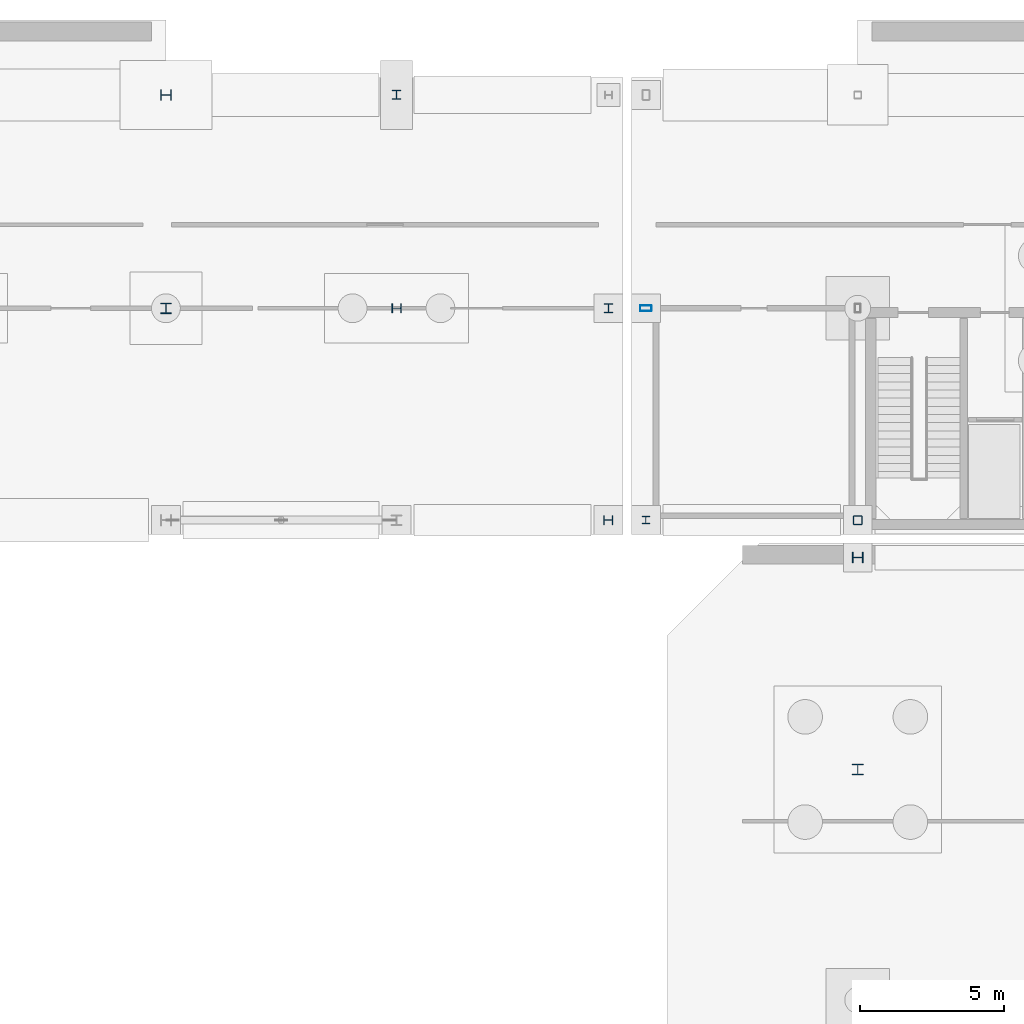
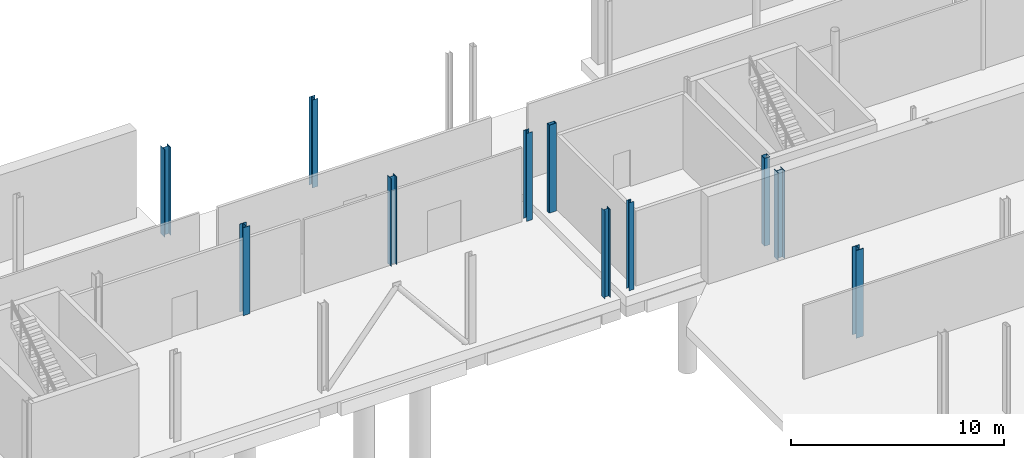
# One storey, part 14 of 33: 11 columns.
"""IFC4 building model written with IfcOpenShell, lengths in metres."""

from ifc_helpers import new_model, si_unit, direction, frame, origin, origin_2d, place, context, subcontext, project, spatial, hollow_rectangle, i_section, extrude, material, material_profile, profile_set, type_object, element, save


model = new_model("IFC4")

# Units and contexts
model_context = context("Model", 3, precision=1e-05, world=origin(), true_north=direction((0.0, 1.0)))
body_context = subcontext(model_context, "Body", "Model", "MODEL_VIEW")
ifc_project = project(units=[si_unit("LENGTHUNIT", "METRE"), si_unit("AREAUNIT", "SQUARE_METRE"), si_unit("VOLUMEUNIT", "CUBIC_METRE"), si_unit("PLANEANGLEUNIT", "RADIAN"), si_unit("MASSUNIT", "GRAM", prefix="KILO")], contexts=[model_context])

# Site, building, storey
site_placement = place(None, origin())
site = spatial("IfcSite", under=ifc_project, at=site_placement, CompositionType="ELEMENT")
building_placement = place(site_placement, origin())
building = spatial("IfcBuilding", under=site, at=building_placement, Name="Brisemont Oceanarium", CompositionType="ELEMENT")
storey_placement = place(building_placement, frame((0.0, 0.0, -5.39990234375)))
storey = spatial("IfcBuildingStorey", under=building, at=storey_placement, Name="B01", CompositionType="ELEMENT", Elevation=-5.39990234375)

# Columns
ifc_material_1 = material(Name="Structural Steel ASTM A500 Gr.C", Category="steel")
ifc_material_profile_1 = material_profile(ifc_material_1, hollow_rectangle(XDim=0.304931640625, YDim=0.304931640625, WallThickness=0.01171875, InnerFilletRadius=0.01220703125, OuterFilletRadius=0.02392578125, at=origin_2d()), Name="HSS12X12X1/2")
ifc_profile_set_1 = profile_set([ifc_material_profile_1], Name="Structural Steel ASTM A500 Gr.C")
column_type_1 = type_object("IfcColumnType", Name="COL-HSS12X12", PredefinedType="COLUMN", material=ifc_profile_set_1)
column_1_placement = place(storey_placement, frame((64.0, 80.64990234375, 0.0), z_axis=(0.0, 0.0, 1.0), x_axis=(0.0, 1.0, 0.0)))
element("IfcColumn", 1, at=column_1_placement, inside=storey, type_object=column_type_1, Name="V7E B01 column (1,0)", PredefinedType="COLUMN", context=body_context, shape_type="SweptSolid", body=[
    extrude(hollow_rectangle(XDim=0.304931640625, YDim=0.304931640625, WallThickness=0.01171875, InnerFilletRadius=0.01220703125, OuterFilletRadius=0.02392578125, at=origin_2d()), origin(), (0.0, 0.0, 1.0), 5.039794921875),
])
ifc_material_2 = material(Name="Structural Steel ASTM A500 Gr.C", Category="steel")
ifc_material_profile_2 = material_profile(ifc_material_2, hollow_rectangle(XDim=0.202880859375, YDim=0.406005859375, WallThickness=0.01171875, InnerFilletRadius=0.01220703125, OuterFilletRadius=0.02392578125, at=origin_2d()), Name="HSS16X8X1/2")
ifc_profile_set_2 = profile_set([ifc_material_profile_2], Name="Structural Steel ASTM A500 Gr.C")
column_type_2 = type_object("IfcColumnType", Name="COL-HSS16X8", PredefinedType="COLUMN", material=ifc_profile_set_2)
column_2_placement = place(storey_placement, frame((56.64990234375, 88.0, 0.0), z_axis=(0.0, 0.0, 1.0), x_axis=(0.0, 1.0, 0.0)))
element("IfcColumn", 2, at=column_2_placement, inside=storey, type_object=column_type_2, Name="V7E B01 column (0,1)", PredefinedType="COLUMN", context=body_context, shape_type="SweptSolid", body=[
    extrude(hollow_rectangle(XDim=0.202880859375, YDim=0.406005859375, WallThickness=0.01171875, InnerFilletRadius=0.01220703125, OuterFilletRadius=0.02392578125, at=origin_2d()), origin(), (0.0, 0.0, 1.0), 5.039794921875),
])
ifc_material_3 = material(Name="Structural Steel ASTM A992 Gr.50", Category="steel")
ifc_material_profile_3 = material_profile(ifc_material_3, i_section(OverallWidth=0.25390625, OverallDepth=0.25390625, WebThickness=0.008544921875, FlangeThickness=0.01416015625, FilletRadius=0.010986328125, at=origin_2d()), Name="W10X49")
ifc_profile_set_3 = profile_set([ifc_material_profile_3], Name="Structural Steel ASTM A992 Gr.50")
column_type_3 = type_object("IfcColumnType", Name="COL-W10X49", PredefinedType="COLUMN", material=ifc_profile_set_3)
column_3_placement = place(storey_placement, frame((56.64990234375, 80.64990234375, 0.0), z_axis=(0.0, 0.0, 1.0), x_axis=(1.0, 0.0, 0.0)))
element("IfcColumn", 3, at=column_3_placement, inside=storey, type_object=column_type_3, Name="V7E B01 column (0,0)", PredefinedType="COLUMN", context=body_context, shape_type="SweptSolid", body=[
    extrude(i_section(OverallWidth=0.25390625, OverallDepth=0.25390625, WebThickness=0.008544921875, FlangeThickness=0.01416015625, FilletRadius=0.010986328125, at=origin_2d()), origin(), (0.0, 0.0, 1.0), 5.039794921875),
])
ifc_material_4 = material(Name="Structural Steel ASTM A992 Gr.50", Category="steel")
ifc_material_profile_4 = material_profile(ifc_material_4, i_section(OverallWidth=0.304931640625, OverallDepth=0.306884765625, WebThickness=0.010009765625, FlangeThickness=0.015380859375, FilletRadius=0.012939453125, at=origin_2d()), Name="W12X65")
ifc_profile_set_4 = profile_set([ifc_material_profile_4], Name="Structural Steel ASTM A992 Gr.50")
column_type_4 = type_object("IfcColumnType", Name="COL-W12X65", PredefinedType="COLUMN", material=ifc_profile_set_4)
column_4_placement = place(storey_placement, frame((55.35009765625, 88.0, 0.0), z_axis=(0.0, 0.0, 1.0), x_axis=(1.0, 0.0, 0.0)))
element("IfcColumn", 4, at=column_4_placement, inside=storey, type_object=column_type_4, Name="V7W B01 column (5,1)", PredefinedType="COLUMN", context=body_context, shape_type="SweptSolid", body=[
    extrude(i_section(OverallWidth=0.304931640625, OverallDepth=0.306884765625, WebThickness=0.010009765625, FlangeThickness=0.015380859375, FilletRadius=0.012939453125, at=origin_2d()), origin(), (0.0, 0.0, 1.0), 5.039794921875),
])
ifc_material_5 = material(Name="Structural Steel ASTM A992 Gr.50", Category="steel")
ifc_material_profile_5 = material_profile(ifc_material_5, i_section(OverallWidth=0.305908203125, OverallDepth=0.31103515625, WebThickness=0.010986328125, FlangeThickness=0.01708984375, FilletRadius=0.012939453125, at=origin_2d()), Name="W12X72")
ifc_profile_set_5 = profile_set([ifc_material_profile_5], Name="Structural Steel ASTM A992 Gr.50")
column_type_5 = type_object("IfcColumnType", Name="COL-W12X72", PredefinedType="COLUMN", material=ifc_profile_set_5)
column_5_placement = place(storey_placement, frame((55.35009765625, 80.64990234375, 0.0), z_axis=(0.0, 0.0, 1.0), x_axis=(0.0, 1.0, 0.0)))
element("IfcColumn", 5, at=column_5_placement, inside=storey, type_object=column_type_5, Name="V7W B01 column (5,0)", PredefinedType="COLUMN", context=body_context, shape_type="SweptSolid", body=[
    extrude(i_section(OverallWidth=0.305908203125, OverallDepth=0.31103515625, WebThickness=0.010986328125, FlangeThickness=0.01708984375, FilletRadius=0.012939453125, at=origin_2d()), origin(), (0.0, 0.0, 1.0), 5.039794921875),
])
ifc_material_6 = material(Name="Structural Steel ASTM A992 Gr.50", Category="steel")
ifc_material_profile_6 = material_profile(ifc_material_6, i_section(OverallWidth=0.306884765625, OverallDepth=0.31494140625, WebThickness=0.011962890625, FlangeThickness=0.018798828125, FilletRadius=0.012939453125, at=origin_2d()), Name="W12X79")
ifc_profile_set_6 = profile_set([ifc_material_profile_6], Name="Structural Steel ASTM A992 Gr.50")
column_type_6 = type_object("IfcColumnType", Name="COL-W12X79", PredefinedType="COLUMN", material=ifc_profile_set_6)
column_6_placement = place(storey_placement, frame((48.0, 95.39990234375, 0.0), z_axis=(0.0, 0.0, 1.0), x_axis=(1.0, 0.0, 0.0)))
element("IfcColumn", 6, at=column_6_placement, inside=storey, type_object=column_type_6, Name="V7W B01 column (4,2)", PredefinedType="COLUMN", context=body_context, shape_type="SweptSolid", body=[
    extrude(i_section(OverallWidth=0.306884765625, OverallDepth=0.31494140625, WebThickness=0.011962890625, FlangeThickness=0.018798828125, FilletRadius=0.012939453125, at=origin_2d()), origin(), (0.0, 0.0, 1.0), 5.039794921875),
])
ifc_material_7 = material(Name="Structural Steel ASTM A992 Gr.50", Category="steel")
ifc_material_profile_7 = material_profile(ifc_material_7, i_section(OverallWidth=0.30810546875, OverallDepth=0.318115234375, WebThickness=0.01318359375, FlangeThickness=0.0205078125, FilletRadius=0.012939453125, at=origin_2d()), Name="W12X87")
ifc_profile_set_7 = profile_set([ifc_material_profile_7], Name="Structural Steel ASTM A992 Gr.50")
column_type_7 = type_object("IfcColumnType", Name="COL-W12X87", PredefinedType="COLUMN", material=ifc_profile_set_7)
column_7_placement = place(storey_placement, frame((48.0, 88.0, 0.0), z_axis=(0.0, 0.0, 1.0), x_axis=(0.0, 1.0, 0.0)))
element("IfcColumn", 7, at=column_7_placement, inside=storey, type_object=column_type_7, Name="V7W B01 column (4,1)", PredefinedType="COLUMN", context=body_context, shape_type="SweptSolid", body=[
    extrude(i_section(OverallWidth=0.30810546875, OverallDepth=0.318115234375, WebThickness=0.01318359375, FlangeThickness=0.0205078125, FilletRadius=0.012939453125, at=origin_2d()), origin(), (0.0, 0.0, 1.0), 5.039794921875),
])
ifc_material_8 = material(Name="Structural Steel ASTM A992 Gr.50", Category="steel")
ifc_material_profile_8 = material_profile(ifc_material_8, i_section(OverallWidth=0.37109375, OverallDepth=0.364013671875, WebThickness=0.01318359375, FlangeThickness=0.021728515625, FilletRadius=0.014892578125, at=origin_2d()), Name="W14X109")
ifc_profile_set_8 = profile_set([ifc_material_profile_8], Name="Structural Steel ASTM A992 Gr.50")
column_type_8 = type_object("IfcColumnType", Name="COL-W14X109", PredefinedType="COLUMN", material=ifc_profile_set_8)
column_8_placement = place(storey_placement, frame((40.0, 88.0, 0.0), z_axis=(0.0, 0.0, 1.0), x_axis=(1.0, 0.0, 0.0)))
element("IfcColumn", 8, at=column_8_placement, inside=storey, type_object=column_type_8, Name="V7W B01 column (3,1)", PredefinedType="COLUMN", context=body_context, shape_type="SweptSolid", body=[
    extrude(i_section(OverallWidth=0.37109375, OverallDepth=0.364013671875, WebThickness=0.01318359375, FlangeThickness=0.021728515625, FilletRadius=0.014892578125, at=origin_2d()), origin(), (0.0, 0.0, 1.0), 5.039794921875),
])
ifc_material_9 = material(Name="Structural Steel ASTM A992 Gr.50", Category="steel")
ifc_material_profile_9 = material_profile(ifc_material_9, i_section(OverallWidth=0.3740234375, OverallDepth=0.3720703125, WebThickness=0.016357421875, FlangeThickness=0.026123046875, FilletRadius=0.014892578125, at=origin_2d()), Name="W14X132")
ifc_profile_set_9 = profile_set([ifc_material_profile_9], Name="Structural Steel ASTM A992 Gr.50")
column_type_9 = type_object("IfcColumnType", Name="COL-W14X132", PredefinedType="COLUMN", material=ifc_profile_set_9)
column_9_placement = place(storey_placement, frame((64.0, 79.35009765625, 0.0), z_axis=(0.0, 0.0, 1.0), x_axis=(0.0, 1.0, 0.0)))
element("IfcColumn", 9, at=column_9_placement, inside=storey, type_object=column_type_9, Name="V1 B01 column (1,6)", PredefinedType="COLUMN", context=body_context, shape_type="SweptSolid", body=[
    extrude(i_section(OverallWidth=0.3740234375, OverallDepth=0.3720703125, WebThickness=0.016357421875, FlangeThickness=0.026123046875, FilletRadius=0.014892578125, at=origin_2d()), origin(), (0.0, 0.0, 1.0), 5.039794921875),
])
ifc_material_10 = material(Name="Structural Steel ASTM A992 Gr.50", Category="steel")
ifc_material_profile_10 = material_profile(ifc_material_10, i_section(OverallWidth=0.39404296875, OverallDepth=0.3759765625, WebThickness=0.017333984375, FlangeThickness=0.027587890625, FilletRadius=0.014892578125, at=origin_2d()), Name="W14X145")
ifc_profile_set_10 = profile_set([ifc_material_profile_10], Name="Structural Steel ASTM A992 Gr.50")
column_type_10 = type_object("IfcColumnType", Name="COL-W14X145", PredefinedType="COLUMN", material=ifc_profile_set_10)
column_10_placement = place(storey_placement, frame((64.0, 72.0, 0.0), z_axis=(0.0, 0.0, 1.0), x_axis=(1.0, 0.0, 0.0)))
element("IfcColumn", 10, at=column_10_placement, inside=storey, type_object=column_type_10, Name="V1 B01 column (1,5)", PredefinedType="COLUMN", context=body_context, shape_type="SweptSolid", body=[
    extrude(i_section(OverallWidth=0.39404296875, OverallDepth=0.3759765625, WebThickness=0.017333984375, FlangeThickness=0.027587890625, FilletRadius=0.014892578125, at=origin_2d()), origin(), (0.0, 0.0, 1.0), 5.039794921875),
])
ifc_material_11 = material(Name="Structural Steel ASTM A992 Gr.50", Category="steel")
ifc_material_profile_11 = material_profile(ifc_material_11, i_section(OverallWidth=0.37109375, OverallDepth=0.361083984375, WebThickness=0.01220703125, FlangeThickness=0.019775390625, FilletRadius=0.014892578125, at=origin_2d()), Name="W14X99")
ifc_profile_set_11 = profile_set([ifc_material_profile_11], Name="Structural Steel ASTM A992 Gr.50")
column_type_11 = type_object("IfcColumnType", Name="COL-W14X99", PredefinedType="COLUMN", material=ifc_profile_set_11)
column_11_placement = place(storey_placement, frame((40.0, 95.39990234375, 0.0), z_axis=(0.0, 0.0, 1.0), x_axis=(0.0, 1.0, 0.0)))
element("IfcColumn", 11, at=column_11_placement, inside=storey, type_object=column_type_11, Name="V7W B01 column (3,2)", PredefinedType="COLUMN", context=body_context, shape_type="SweptSolid", body=[
    extrude(i_section(OverallWidth=0.37109375, OverallDepth=0.361083984375, WebThickness=0.01220703125, FlangeThickness=0.019775390625, FilletRadius=0.014892578125, at=origin_2d()), origin(), (0.0, 0.0, 1.0), 5.039794921875),
])

save(model, "model.ifc")
